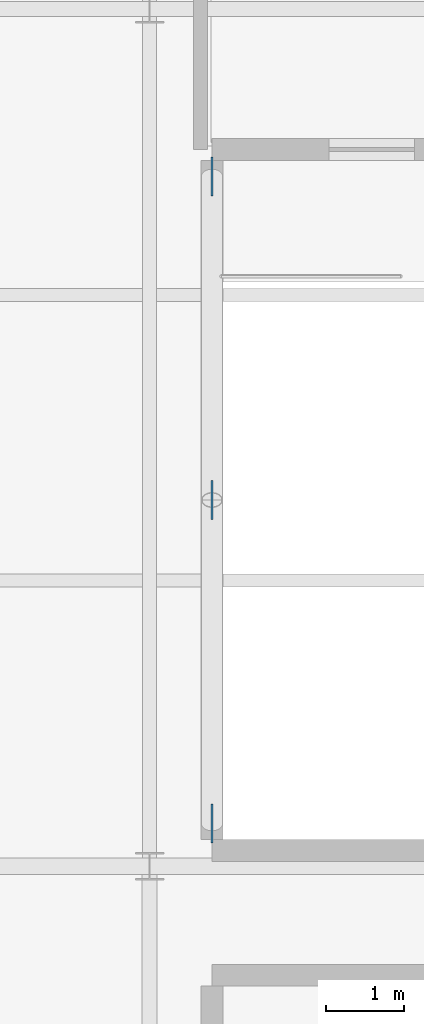
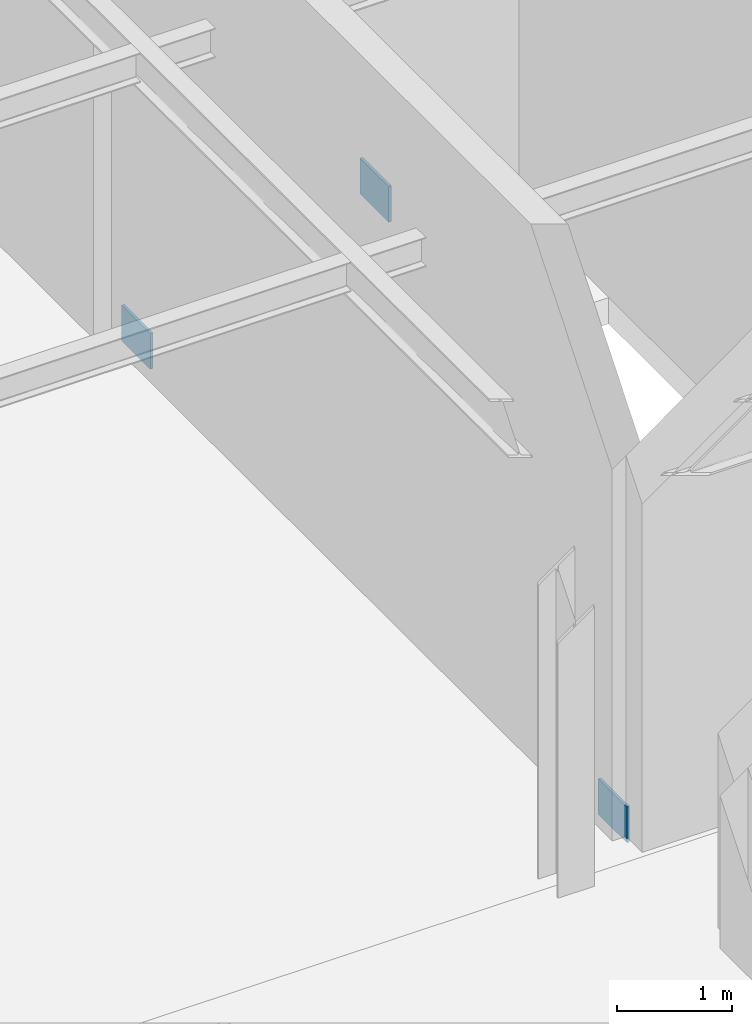
# One storey, part 61 of 82: 3 plates.
"""IFC4 building model written with IfcOpenShell, lengths in metres."""

from ifc_helpers import new_model, si_unit, direction, frame, origin, origin_2d, place, context, subcontext, project, spatial, rectangle, extrude, material, layer, layer_set, type_object, element, save


model = new_model("IFC4")

# Units and contexts
model_context = context("Model", 3, precision=1e-05, world=origin(), true_north=direction((0.0, 1.0)))
body_context = subcontext(model_context, "Body", "Model", "MODEL_VIEW")
ifc_project = project(units=[si_unit("LENGTHUNIT", "METRE"), si_unit("AREAUNIT", "SQUARE_METRE"), si_unit("VOLUMEUNIT", "CUBIC_METRE"), si_unit("PLANEANGLEUNIT", "RADIAN"), si_unit("MASSUNIT", "GRAM", prefix="KILO")], contexts=[model_context])

# Site, building, storey
site_placement = place(None, origin())
site = spatial("IfcSite", under=ifc_project, at=site_placement, CompositionType="ELEMENT")
building_placement = place(site_placement, origin())
building = spatial("IfcBuilding", under=site, at=building_placement, Name="Sitalva Quay Ferry Terminal", CompositionType="ELEMENT")
storey_placement = place(building_placement, frame((0.0, 0.0, 5.39990234375)))
storey = spatial("IfcBuildingStorey", under=building, at=storey_placement, Name="L02", CompositionType="ELEMENT", Elevation=5.39990234375)

# Plates
ifc_material = material(Name="Structural Steel S355JR", Category="steel")
ifc_layer = layer(ifc_material, 0.028076171875)
ifc_layer_set = layer_set([ifc_layer], Name="Structural Steel S355JR")
plate_type = type_object("IfcPlateType", Name="Gusset_500x380x28", PredefinedType="USERDEFINED", material=ifc_layer_set)
for number, where, z_axis, x_axis, name in (
    (1, (152.0, 82.699951171875, 4.0400390625), (0.0, 0.0, 1.0), (1.0, 0.0, 0.0), "Braced frame BF4 L02 APEX gusset"),
    (2, (152.0, 78.550048828125, -0.039794921875), (0.0, 0.0, 1.0), (1.0, 0.0, 0.0), "Braced frame BF4 L02 BASE-A gusset"),
    (3, (152.0, 86.85009765625, -0.039794921875), (0.0, 0.0, 1.0), (1.0, 0.0, 0.0), "Braced frame BF4 L02 BASE-B gusset"),
):
    element("IfcPlate", number, at=place(storey_placement, frame(where, z_axis=z_axis, x_axis=x_axis)), inside=storey, type_object=plate_type, Name=name, ObjectType="FLANGE_PLATE", PredefinedType="USERDEFINED", context=body_context, shape_type="SweptSolid", body=[
        extrude(rectangle(XDim=0.028076171875, YDim=0.5, at=origin_2d()), origin(), (0.0, 0.0, 1.0), 0.3798828125),
    ])

save(model, "model.ifc")
